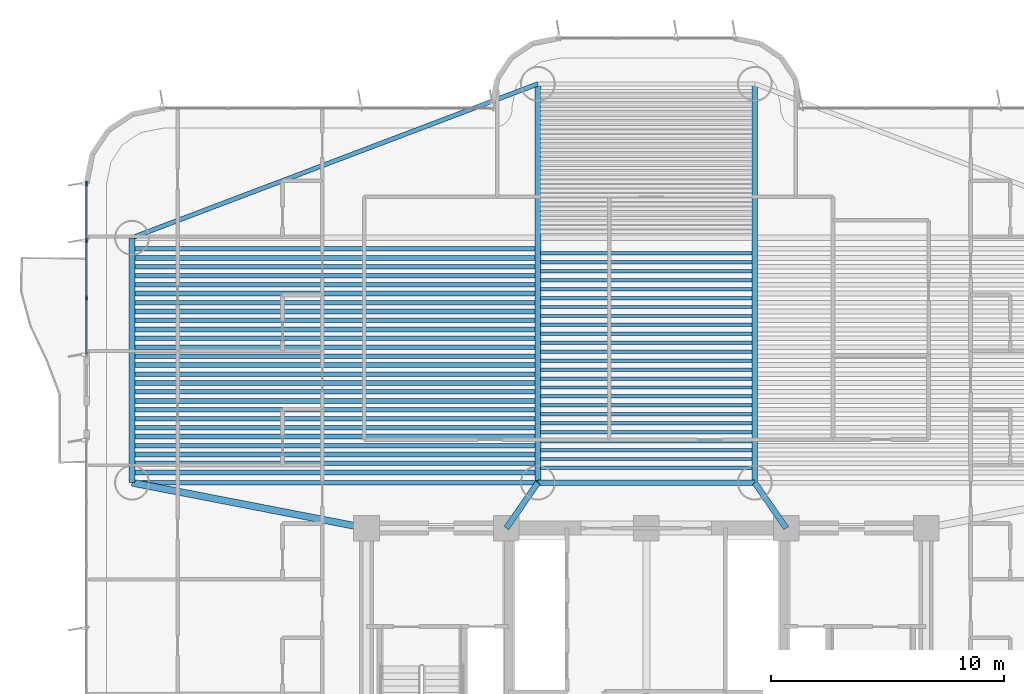
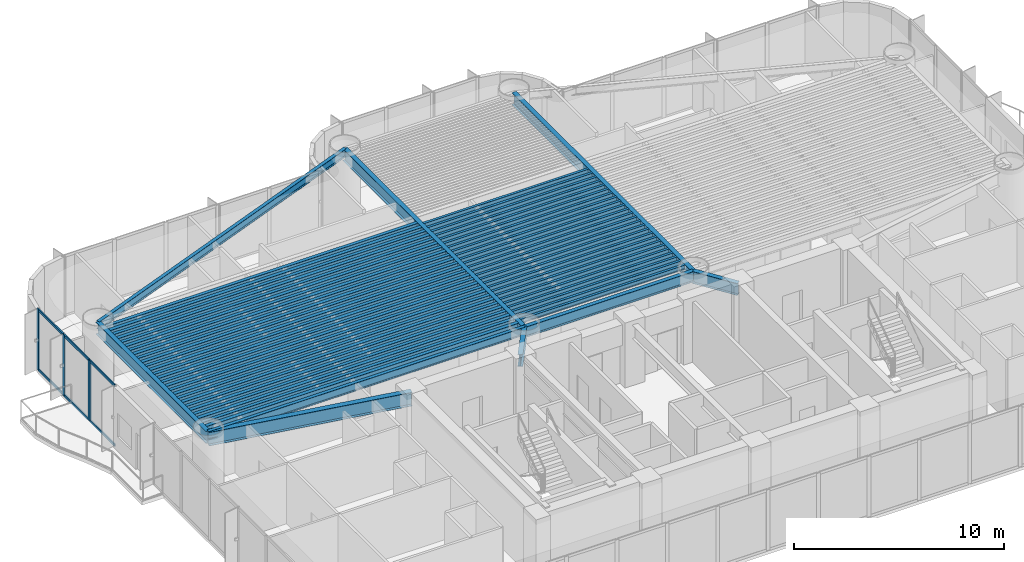
# One storey, part 3 of 19: 60 beams, 9 members, 1 element without a shape of its own.
"""IFC4 building model written with IfcOpenShell, lengths in metres."""

from ifc_helpers import new_model, si_unit, direction, frame, origin, origin_2d, place, context, subcontext, project, spatial, rectangle, i_section, extrude, source, transform, mapped, material, layer, layer_set, material_profile, profile_set, type_object, element, aggregate, save


model = new_model("IFC4")

# Units and contexts
model_context = context("Model", 3, precision=1e-05, world=origin(), true_north=direction((0.0, 1.0)))
body_context = subcontext(model_context, "Body", "Model", "MODEL_VIEW")
ifc_project = project(units=[si_unit("LENGTHUNIT", "METRE"), si_unit("AREAUNIT", "SQUARE_METRE"), si_unit("VOLUMEUNIT", "CUBIC_METRE"), si_unit("PLANEANGLEUNIT", "RADIAN"), si_unit("MASSUNIT", "GRAM", prefix="KILO")], contexts=[model_context])

# Site, building, storey
site_placement = place(None, origin())
site = spatial("IfcSite", under=ifc_project, at=site_placement, CompositionType="ELEMENT")
building_placement = place(site_placement, origin())
building = spatial("IfcBuilding", under=site, at=building_placement, Name="Brelvock Crest Care Tower", CompositionType="ELEMENT")
storey_placement = place(building_placement, frame((0.0, 0.0, 64.800048828125)))
storey = spatial("IfcBuildingStorey", under=building, at=storey_placement, Name="L16", CompositionType="ELEMENT", Elevation=64.800048828125)

# Beams
ifc_material_1 = material(Name="Steel Grade 350", Category="steel")
ifc_material_profile_1 = material_profile(ifc_material_1, i_section(OverallWidth=0.25, OverallDepth=0.699951171875, WebThickness=0.011962890625, FlangeThickness=0.02001953125, at=origin_2d()), Name="700WB150")
ifc_profile_set_1 = profile_set([ifc_material_profile_1], Name="Steel Grade 350")
beam_type_1 = type_object("IfcBeamType", Name="BM-G4", PredefinedType="BEAM", material=ifc_profile_set_1)
shared_shape_1 = source(origin(), body_context, "Body", "SweptSolid", [
    extrude(i_section(OverallWidth=0.25, OverallDepth=0.699951171875, WebThickness=0.011962890625, FlangeThickness=0.02001953125, at=origin_2d()), origin(), (0.0, 0.0, 1.0), 10.5),
])
beam_1_placement = place(storey_placement, frame((13.949951171875, 19.949951171875, 3.179931640625), z_axis=(0.0, 1.0, 0.0), x_axis=(-1.0, 0.0, 0.0)))
element("IfcBeam", 1, at=beam_1_placement, inside=storey, type_object=beam_type_1, Name="BM-TWR-L16-01", PredefinedType="BEAM", context=body_context, shape_type="MappedRepresentation", body=[
    mapped(shared_shape_1, transform((0.0, 0.0, 0.0), x_axis=(1.0, 0.0, 0.0), y_axis=(0.0, 1.0, 0.0), z_axis=(0.0, 0.0, 1.0), scale=1.0)),
])
ifc_material_profile_2 = material_profile(ifc_material_1, i_section(OverallWidth=0.19091796875, OverallDepth=0.4599609375, WebThickness=0.010009765625, FlangeThickness=0.01611328125, FilletRadius=0.011474609375, at=origin_2d()), Name="460UB82.1")
ifc_profile_set_2 = profile_set([ifc_material_profile_2], Name="Steel Grade 350")
beam_type_2 = type_object("IfcBeamType", Name="BM-SP2", PredefinedType="SPANDREL", material=ifc_profile_set_2)
shared_shape_2 = source(origin(), body_context, "Body", "SweptSolid", [
    extrude(i_section(OverallWidth=0.19091796875, OverallDepth=0.4599609375, WebThickness=0.010009765625, FlangeThickness=0.01611328125, FilletRadius=0.011474609375, at=origin_2d()), origin(), (0.0, 0.0, 1.0), 17.400146484375),
])
beam_2_placement = place(storey_placement, frame((13.949951171875, 19.949951171875, 3.300048828125), z_axis=(1.0, 0.0, 0.0), x_axis=(0.0, 1.0, 0.0)))
element("IfcBeam", 2, at=beam_2_placement, inside=storey, type_object=beam_type_2, Name="BM-TWR-L16-03", PredefinedType="SPANDREL", context=body_context, shape_type="MappedRepresentation", body=[
    mapped(shared_shape_2, transform((0.0, 0.0, 0.0), x_axis=(1.0, 0.0, 0.0), y_axis=(0.0, 1.0, 0.0), z_axis=(0.0, 0.0, 1.0), scale=1.0)),
])
ifc_material_profile_3 = material_profile(ifc_material_1, i_section(OverallWidth=0.22900390625, OverallDepth=0.612060546875, WebThickness=0.011962890625, FlangeThickness=0.01953125, FilletRadius=0.013916015625, at=origin_2d()), Name="610UB125")
ifc_profile_set_3 = profile_set([ifc_material_profile_3], Name="Steel Grade 350")
beam_type_3 = type_object("IfcBeamType", Name="BM-G1", PredefinedType="BEAM", material=ifc_profile_set_3)
shared_shape_3 = source(origin(), body_context, "Body", "SweptSolid", [
    extrude(i_section(OverallWidth=0.22900390625, OverallDepth=0.612060546875, WebThickness=0.011962890625, FlangeThickness=0.01953125, FilletRadius=0.013916015625, at=origin_2d()), origin(), (0.0, 0.0, 1.0), 9.2998046875),
])
beam_3_placement = place(storey_placement, frame((31.35009765625, 19.949951171875, 3.223876953125), z_axis=(1.0, 0.0, 0.0), x_axis=(0.0, 1.0, 0.0)))
element("IfcBeam", 3, at=beam_3_placement, inside=storey, type_object=beam_type_3, Name="BM-TWR-L16-05", PredefinedType="BEAM", context=body_context, shape_type="MappedRepresentation", body=[
    mapped(shared_shape_3, transform((0.0, 0.0, 0.0), x_axis=(1.0, 0.0, 0.0), y_axis=(0.0, 1.0, 0.0), z_axis=(0.0, 0.0, 1.0), scale=1.0)),
])
shared_shape_4 = source(origin(), body_context, "Body", "SweptSolid", [
    extrude(i_section(OverallWidth=0.19091796875, OverallDepth=0.4599609375, WebThickness=0.010009765625, FlangeThickness=0.01611328125, FilletRadius=0.011474609375, at=origin_2d()), origin(), (0.0, 0.0, 1.0), 18.60986328125),
])
beam_4_placement = place(storey_placement, frame((13.949951171875, 30.449951171875, 3.300048828125), z_axis=(0.934996776275, 0.3546562115, 0.0), x_axis=(-0.3546562115, 0.934996776275, 0.0)))
element("IfcBeam", 4, at=beam_4_placement, inside=storey, type_object=beam_type_2, Name="BM-TWR-L16-06", PredefinedType="SPANDREL", context=body_context, shape_type="MappedRepresentation", body=[
    mapped(shared_shape_4, transform((0.0, 0.0, 0.0), x_axis=(1.0, 0.0, 0.0), y_axis=(0.0, 1.0, 0.0), z_axis=(0.0, 0.0, 1.0), scale=1.0)),
])
shared_shape_5 = source(origin(), body_context, "Body", "SweptSolid", [
    extrude(i_section(OverallWidth=0.25, OverallDepth=0.699951171875, WebThickness=0.011962890625, FlangeThickness=0.02001953125, at=origin_2d()), origin(), (0.0, 0.0, 1.0), 17.10009765625),
])
for number, where, z_axis, x_axis, name in (
    (5, (31.35009765625, 19.949951171875, 3.179931640625), (0.0, 1.0, 0.0), (-1.0, 0.0, 0.0), "BM-TWR-L16-09"),
    (6, (40.64990234375, 19.949951171875, 3.179931640625), (0.0, 1.0, 0.0), (-1.0, 0.0, 0.0), "BM-TWR-L16-10"),
):
    element("IfcBeam", number, at=place(storey_placement, frame(where, z_axis=z_axis, x_axis=x_axis)), inside=storey, type_object=beam_type_1, Name=name, PredefinedType="BEAM", context=body_context, shape_type="MappedRepresentation", body=[
        mapped(shared_shape_5, transform((0.0, 0.0, 0.0), x_axis=(1.0, 0.0, 0.0), y_axis=(0.0, 1.0, 0.0), z_axis=(0.0, 0.0, 1.0), scale=1.0)),
    ])
shared_shape_6 = source(origin(), body_context, "Body", "SweptSolid", [
    extrude(i_section(OverallWidth=0.25, OverallDepth=0.699951171875, WebThickness=0.011962890625, FlangeThickness=0.02001953125, at=origin_2d()), origin(), (0.0, 0.0, 1.0), 2.371826171875),
])
for number, where, z_axis, x_axis, name in (
    (7, (30.0, 18.0, 3.179931640625), (0.569247447691, 0.8221662504, 0.0), (-0.8221662504, 0.569247447691, 0.0), "BM-THRW-L16"),
    (8, (42.0, 18.0, 3.179931640625), (-0.569247447691, 0.8221662504, 0.0), (-0.8221662504, -0.569247447691, 0.0), "BM-THRE-L16"),
):
    element("IfcBeam", number, at=place(storey_placement, frame(where, z_axis=z_axis, x_axis=x_axis)), inside=storey, type_object=beam_type_1, Name=name, PredefinedType="BEAM", context=body_context, shape_type="MappedRepresentation", body=[
        mapped(shared_shape_6, transform((0.0, 0.0, 0.0), x_axis=(1.0, 0.0, 0.0), y_axis=(0.0, 1.0, 0.0), z_axis=(0.0, 0.0, 1.0), scale=1.0)),
    ])
ifc_material_profile_4 = material_profile(ifc_material_1, i_section(OverallWidth=0.300048828125, OverallDepth=0.800048828125, WebThickness=0.013916015625, FlangeThickness=0.02197265625, at=origin_2d()), Name="800WB192")
ifc_profile_set_4 = profile_set([ifc_material_profile_4], Name="Steel Grade 350")
beam_type_4 = type_object("IfcBeamType", Name="BM-G5", PredefinedType="BEAM", material=ifc_profile_set_4)
shared_shape_7 = source(origin(), body_context, "Body", "SweptSolid", [
    extrude(i_section(OverallWidth=0.300048828125, OverallDepth=0.800048828125, WebThickness=0.013916015625, FlangeThickness=0.02197265625, at=origin_2d()), origin(), (0.0, 0.0, 1.0), 10.237548828125),
])
beam_5_placement = place(storey_placement, frame((24.0, 18.0, 3.1298828125), z_axis=(-0.981692632568, 0.190471979991, 0.0), x_axis=(-0.190471979991, -0.981692632568, 0.0)))
element("IfcBeam", 9, at=beam_5_placement, inside=storey, type_object=beam_type_4, Name="BM-THRO-W-L16", PredefinedType="BEAM", context=body_context, shape_type="MappedRepresentation", body=[
    mapped(shared_shape_7, transform((0.0, 0.0, 0.0), x_axis=(1.0, 0.0, 0.0), y_axis=(0.0, 1.0, 0.0), z_axis=(0.0, 0.0, 1.0), scale=1.0)),
])
ifc_material_profile_5 = material_profile(ifc_material_1, i_section(OverallWidth=0.208984375, OverallDepth=0.532958984375, WebThickness=0.01025390625, FlangeThickness=0.015625, FilletRadius=0.013916015625, at=origin_2d()), Name="530UB92.4")
ifc_profile_set_5 = profile_set([ifc_material_profile_5], Name="Steel Grade 350")
beam_type_5 = type_object("IfcBeamType", Name="BM-G2", PredefinedType="BEAM", material=ifc_profile_set_5)
shared_shape_8 = source(origin(), body_context, "Body", "SweptSolid", [
    extrude(i_section(OverallWidth=0.208984375, OverallDepth=0.532958984375, WebThickness=0.01025390625, FlangeThickness=0.015625, FilletRadius=0.013916015625, at=origin_2d()), origin(), (0.0, 0.0, 1.0), 17.170166015625),
])
for number, where, z_axis, x_axis, name in (
    (10, (14.06494140625, 20.39111328125, 3.263427734375), (1.0, 0.0, 0.0), (0.0, 1.0, 0.0), "BM-JW-L16-1"),
    (11, (14.06494140625, 21.157470703125, 3.263427734375), (1.0, 0.0, 0.0), (0.0, 1.0, 0.0), "BM-JW-L16-3"),
    (12, (14.06494140625, 21.924072265625, 3.263427734375), (1.0, 0.0, 0.0), (0.0, 1.0, 0.0), "BM-JW-L16-5"),
    (13, (14.06494140625, 22.6904296875, 3.263427734375), (1.0, 0.0, 0.0), (0.0, 1.0, 0.0), "BM-JW-L16-7"),
    (14, (14.06494140625, 23.45703125, 3.263427734375), (1.0, 0.0, 0.0), (0.0, 1.0, 0.0), "BM-JW-L16-9"),
    (15, (14.06494140625, 24.223388671875, 3.263427734375), (1.0, 0.0, 0.0), (0.0, 1.0, 0.0), "BM-JW-L16-11"),
    (16, (14.06494140625, 24.989990234375, 3.263427734375), (1.0, 0.0, 0.0), (0.0, 1.0, 0.0), "BM-JW-L16-13"),
    (17, (14.06494140625, 25.756591796875, 3.263427734375), (1.0, 0.0, 0.0), (0.0, 1.0, 0.0), "BM-JW-L16-15"),
    (18, (14.06494140625, 26.52294921875, 3.263427734375), (1.0, 0.0, 0.0), (0.0, 1.0, 0.0), "BM-JW-L16-17"),
    (19, (14.06494140625, 27.28955078125, 3.263427734375), (1.0, 0.0, 0.0), (0.0, 1.0, 0.0), "BM-JW-L16-19"),
    (20, (14.06494140625, 28.055908203125, 3.263427734375), (1.0, 0.0, 0.0), (0.0, 1.0, 0.0), "BM-JW-L16-21"),
    (21, (14.06494140625, 28.822509765625, 3.263427734375), (1.0, 0.0, 0.0), (0.0, 1.0, 0.0), "BM-JW-L16-23"),
    (22, (14.06494140625, 29.589111328125, 3.263427734375), (1.0, 0.0, 0.0), (0.0, 1.0, 0.0), "BM-JW-L16-25"),
):
    element("IfcBeam", number, at=place(storey_placement, frame(where, z_axis=z_axis, x_axis=x_axis)), inside=storey, type_object=beam_type_5, Name=name, PredefinedType="BEAM", context=body_context, shape_type="MappedRepresentation", body=[
        mapped(shared_shape_8, transform((0.0, 0.0, 0.0), x_axis=(1.0, 0.0, 0.0), y_axis=(0.0, 1.0, 0.0), z_axis=(0.0, 0.0, 1.0), scale=1.0)),
    ])
ifc_material_profile_6 = material_profile(ifc_material_1, i_section(OverallWidth=0.14599609375, OverallDepth=0.256103515625, WebThickness=0.00634765625, FlangeThickness=0.010986328125, FilletRadius=0.0087890625, at=origin_2d()), Name="250UB37.3")
ifc_profile_set_6 = profile_set([ifc_material_profile_6], Name="Steel Grade 350")
beam_type_6 = type_object("IfcBeamType", Name="BM-J3", PredefinedType="JOIST", material=ifc_profile_set_6)
shared_shape_9 = source(origin(), body_context, "Body", "SweptSolid", [
    extrude(i_section(OverallWidth=0.14599609375, OverallDepth=0.256103515625, WebThickness=0.00634765625, FlangeThickness=0.010986328125, FilletRadius=0.0087890625, at=origin_2d()), origin(), (0.0, 0.0, 1.0), 9.06982421875),
])
for number, where, z_axis, x_axis, name in (
    (23, (31.465087890625, 20.58251953125, 3.40185546875), (1.0, 0.0, 0.0), (0.0, 1.0, 0.0), "BM-JH-L16-1"),
    (24, (31.465087890625, 20.9658203125, 3.40185546875), (1.0, 0.0, 0.0), (0.0, 1.0, 0.0), "BM-JH-L16-2"),
    (25, (31.465087890625, 21.34912109375, 3.40185546875), (1.0, 0.0, 0.0), (0.0, 1.0, 0.0), "BM-JH-L16-3"),
    (26, (31.465087890625, 21.732421875, 3.40185546875), (1.0, 0.0, 0.0), (0.0, 1.0, 0.0), "BM-JH-L16-4"),
    (27, (31.465087890625, 22.115478515625, 3.40185546875), (1.0, 0.0, 0.0), (0.0, 1.0, 0.0), "BM-JH-L16-5"),
    (28, (31.465087890625, 22.498779296875, 3.40185546875), (1.0, 0.0, 0.0), (0.0, 1.0, 0.0), "BM-JH-L16-6"),
    (29, (31.465087890625, 22.882080078125, 3.40185546875), (1.0, 0.0, 0.0), (0.0, 1.0, 0.0), "BM-JH-L16-7"),
    (30, (31.465087890625, 23.265380859375, 3.40185546875), (1.0, 0.0, 0.0), (0.0, 1.0, 0.0), "BM-JH-L16-8"),
    (31, (31.465087890625, 23.648681640625, 3.40185546875), (1.0, 0.0, 0.0), (0.0, 1.0, 0.0), "BM-JH-L16-9"),
    (32, (31.465087890625, 24.03173828125, 3.40185546875), (1.0, 0.0, 0.0), (0.0, 1.0, 0.0), "BM-JH-L16-10"),
    (33, (31.465087890625, 24.4150390625, 3.40185546875), (1.0, 0.0, 0.0), (0.0, 1.0, 0.0), "BM-JH-L16-11"),
    (34, (31.465087890625, 24.79833984375, 3.40185546875), (1.0, 0.0, 0.0), (0.0, 1.0, 0.0), "BM-JH-L16-12"),
    (35, (31.465087890625, 25.181640625, 3.40185546875), (1.0, 0.0, 0.0), (0.0, 1.0, 0.0), "BM-JH-L16-13"),
    (36, (31.465087890625, 25.564697265625, 3.40185546875), (1.0, 0.0, 0.0), (0.0, 1.0, 0.0), "BM-JH-L16-14"),
    (37, (31.465087890625, 25.947998046875, 3.40185546875), (1.0, 0.0, 0.0), (0.0, 1.0, 0.0), "BM-JH-L16-15"),
    (38, (31.465087890625, 26.331298828125, 3.40185546875), (1.0, 0.0, 0.0), (0.0, 1.0, 0.0), "BM-JH-L16-16"),
    (39, (31.465087890625, 26.714599609375, 3.40185546875), (1.0, 0.0, 0.0), (0.0, 1.0, 0.0), "BM-JH-L16-17"),
    (40, (31.465087890625, 27.097900390625, 3.40185546875), (1.0, 0.0, 0.0), (0.0, 1.0, 0.0), "BM-JH-L16-18"),
    (41, (31.465087890625, 27.481201171875, 3.40185546875), (1.0, 0.0, 0.0), (0.0, 1.0, 0.0), "BM-JH-L16-19"),
    (42, (31.465087890625, 27.864501953125, 3.40185546875), (1.0, 0.0, 0.0), (0.0, 1.0, 0.0), "BM-JH-L16-20"),
    (43, (31.465087890625, 28.24755859375, 3.40185546875), (1.0, 0.0, 0.0), (0.0, 1.0, 0.0), "BM-JH-L16-21"),
    (44, (31.465087890625, 28.630859375, 3.40185546875), (1.0, 0.0, 0.0), (0.0, 1.0, 0.0), "BM-JH-L16-22"),
    (45, (31.465087890625, 29.01416015625, 3.40185546875), (1.0, 0.0, 0.0), (0.0, 1.0, 0.0), "BM-JH-L16-23"),
    (46, (31.465087890625, 29.397216796875, 3.40185546875), (1.0, 0.0, 0.0), (0.0, 1.0, 0.0), "BM-JH-L16-24"),
    (47, (31.465087890625, 29.780517578125, 3.40185546875), (1.0, 0.0, 0.0), (0.0, 1.0, 0.0), "BM-JH-L16-25"),
):
    element("IfcBeam", number, at=place(storey_placement, frame(where, z_axis=z_axis, x_axis=x_axis)), inside=storey, type_object=beam_type_6, Name=name, PredefinedType="JOIST", context=body_context, shape_type="MappedRepresentation", body=[
        mapped(shared_shape_9, transform((0.0, 0.0, 0.0), x_axis=(1.0, 0.0, 0.0), y_axis=(0.0, 1.0, 0.0), z_axis=(0.0, 0.0, 1.0), scale=1.0)),
    ])
ifc_material_profile_7 = material_profile(ifc_material_1, i_section(OverallWidth=0.19091796875, OverallDepth=0.4599609375, WebThickness=0.010009765625, FlangeThickness=0.01611328125, FilletRadius=0.011474609375, at=origin_2d()), Name="460UB82.1")
ifc_profile_set_7 = profile_set([ifc_material_profile_7], Name="Steel Grade 350")
beam_type_7 = type_object("IfcBeamType", Name="BM-G3", PredefinedType="BEAM", material=ifc_profile_set_7)
shared_shape_10 = source(origin(), body_context, "Body", "SweptSolid", [
    extrude(i_section(OverallWidth=0.19091796875, OverallDepth=0.4599609375, WebThickness=0.010009765625, FlangeThickness=0.01611328125, FilletRadius=0.011474609375, at=origin_2d()), origin(), (0.0, 0.0, 1.0), 17.170166015625),
])
for number, where, z_axis, x_axis, name in (
    (48, (14.06494140625, 20.774169921875, 3.300048828125), (1.0, 0.0, 0.0), (0.0, 1.0, 0.0), "BM-JW-L16-2"),
    (49, (14.06494140625, 21.540771484375, 3.300048828125), (1.0, 0.0, 0.0), (0.0, 1.0, 0.0), "BM-JW-L16-4"),
    (50, (14.06494140625, 22.30712890625, 3.300048828125), (1.0, 0.0, 0.0), (0.0, 1.0, 0.0), "BM-JW-L16-6"),
    (51, (14.06494140625, 23.07373046875, 3.300048828125), (1.0, 0.0, 0.0), (0.0, 1.0, 0.0), "BM-JW-L16-8"),
    (52, (14.06494140625, 23.840087890625, 3.300048828125), (1.0, 0.0, 0.0), (0.0, 1.0, 0.0), "BM-JW-L16-10"),
    (53, (14.06494140625, 24.606689453125, 3.300048828125), (1.0, 0.0, 0.0), (0.0, 1.0, 0.0), "BM-JW-L16-12"),
    (54, (14.06494140625, 25.373291015625, 3.300048828125), (1.0, 0.0, 0.0), (0.0, 1.0, 0.0), "BM-JW-L16-14"),
    (55, (14.06494140625, 26.1396484375, 3.300048828125), (1.0, 0.0, 0.0), (0.0, 1.0, 0.0), "BM-JW-L16-16"),
    (56, (14.06494140625, 26.90625, 3.300048828125), (1.0, 0.0, 0.0), (0.0, 1.0, 0.0), "BM-JW-L16-18"),
    (57, (14.06494140625, 27.6728515625, 3.300048828125), (1.0, 0.0, 0.0), (0.0, 1.0, 0.0), "BM-JW-L16-20"),
    (58, (14.06494140625, 28.439208984375, 3.300048828125), (1.0, 0.0, 0.0), (0.0, 1.0, 0.0), "BM-JW-L16-22"),
    (59, (14.06494140625, 29.205810546875, 3.300048828125), (1.0, 0.0, 0.0), (0.0, 1.0, 0.0), "BM-JW-L16-24"),
    (60, (14.06494140625, 29.97216796875, 3.300048828125), (1.0, 0.0, 0.0), (0.0, 1.0, 0.0), "BM-JW-L16-26"),
):
    element("IfcBeam", number, at=place(storey_placement, frame(where, z_axis=z_axis, x_axis=x_axis)), inside=storey, type_object=beam_type_7, Name=name, PredefinedType="BEAM", context=body_context, shape_type="MappedRepresentation", body=[
        mapped(shared_shape_10, transform((0.0, 0.0, 0.0), x_axis=(1.0, 0.0, 0.0), y_axis=(0.0, 1.0, 0.0), z_axis=(0.0, 0.0, 1.0), scale=1.0)),
    ])

# Curtain wall, members
ifc_material_2 = material(Name="Dark Glass Double Glazed Low-E", Category="glass")
ifc_layer = layer(ifc_material_2, 0.195068359375, Name="CWS-2")
ifc_layer_set = layer_set([ifc_layer], Name="Dark Glass Double Glazed Low-E")
curtain_wall_type = type_object("IfcCurtainWallType", Name="CWS-2", PredefinedType="NOTDEFINED", material=ifc_layer_set)
curtain_wall_placement = place(storey_placement, origin())
curtain_wall = element("IfcCurtainWall", 61, at=curtain_wall_placement, inside=storey, type_object=curtain_wall_type, Name="L16 Curtain Wall E13B", PredefinedType="NOTDEFINED")
ifc_material_3 = material(Name="Aluminium 6063-T6", Category="aluminium")
ifc_material_profile_8 = material_profile(ifc_material_3, rectangle(XDim=0.06494140625, YDim=0.199951171875, at=origin_2d()), Name="ALU65x200")
ifc_profile_set_8 = profile_set([ifc_material_profile_8], Name="Aluminium 6063-T6")
member_type_1 = type_object("IfcMemberType", Name="CWM-1", PredefinedType="MULLION", material=ifc_profile_set_8)
shared_shape_11 = source(origin(), body_context, "Body", "SweptSolid", [
    extrude(rectangle(XDim=0.06494140625, YDim=0.199951171875, at=origin_2d()), origin(), (0.0, 0.0, 1.0), 3.530029296875),
])
member_1_placement = place(storey_placement, frame((12.0, 27.86669921875, 0.0), z_axis=(0.0, 0.0, 1.0), x_axis=(-1.0, 0.0, 0.0)))
member_1 = element("IfcMember", 62, at=member_1_placement, type_object=member_type_1, Name="CW-2 mullion 2", PredefinedType="MULLION", context=body_context, shape_type="MappedRepresentation", body=[
    mapped(shared_shape_11, transform((0.0, 0.0, 0.0), x_axis=(1.0, 0.0, 0.0), y_axis=(0.0, 1.0, 0.0), z_axis=(0.0, 0.0, 1.0), scale=1.0)),
])
member_2_placement = place(storey_placement, frame((12.0, 30.333251953125, 0.0), z_axis=(0.0, 0.0, 1.0), x_axis=(-1.0, 0.0, 0.0)))
member_2 = element("IfcMember", 63, at=member_2_placement, type_object=member_type_1, Name="CW-2 mullion 3", PredefinedType="MULLION", context=body_context, shape_type="MappedRepresentation", body=[
    mapped(shared_shape_11, transform((0.0, 0.0, 0.0), x_axis=(1.0, 0.0, 0.0), y_axis=(0.0, 1.0, 0.0), z_axis=(0.0, 0.0, 1.0), scale=1.0)),
])
member_3_placement = place(storey_placement, frame((12.0, 32.767578125, 0.0), z_axis=(0.0, 0.0, 1.0), x_axis=(-1.0, 0.0, 0.0)))
member_3 = element("IfcMember", 64, at=member_3_placement, type_object=member_type_1, Name="CW-2 mullion 4", PredefinedType="MULLION", context=body_context, shape_type="MappedRepresentation", body=[
    mapped(shared_shape_11, transform((0.0, 0.0, 0.0), x_axis=(1.0, 0.0, 0.0), y_axis=(0.0, 1.0, 0.0), z_axis=(0.0, 0.0, 1.0), scale=1.0)),
])
ifc_material_profile_9 = material_profile(ifc_material_3, rectangle(XDim=0.06494140625, YDim=0.14990234375, at=origin_2d()), Name="ALU65x150")
ifc_profile_set_9 = profile_set([ifc_material_profile_9], Name="Aluminium 6063-T6")
member_type_2 = type_object("IfcMemberType", Name="CWT-1", PredefinedType="USERDEFINED", material=ifc_profile_set_9)
shared_shape_12 = source(origin(), body_context, "Body", "SweptSolid", [
    extrude(rectangle(XDim=0.06494140625, YDim=0.14990234375, at=origin_2d()), origin(), (0.0, 0.0, 1.0), 2.369384765625),
])
member_4_placement = place(storey_placement, frame((12.0, 30.36572265625, 0.032470703125), z_axis=(0.0, 1.0, 0.0), x_axis=(-1.0, 0.0, 0.0)))
member_4 = element("IfcMember", 65, at=member_4_placement, type_object=member_type_2, Name="CW-2 transom 3.1", ObjectType="TRANSOM", PredefinedType="USERDEFINED", context=body_context, shape_type="MappedRepresentation", body=[
    mapped(shared_shape_12, transform((0.0, 0.0, 0.0), x_axis=(1.0, 0.0, 0.0), y_axis=(0.0, 1.0, 0.0), z_axis=(0.0, 0.0, 1.0), scale=1.0)),
])
member_5_placement = place(storey_placement, frame((12.0, 30.36572265625, 3.49755859375), z_axis=(0.0, 1.0, 0.0), x_axis=(-1.0, 0.0, 0.0)))
member_5 = element("IfcMember", 66, at=member_5_placement, type_object=member_type_2, Name="CW-2 transom 3.2", ObjectType="TRANSOM", PredefinedType="USERDEFINED", context=body_context, shape_type="MappedRepresentation", body=[
    mapped(shared_shape_12, transform((0.0, 0.0, 0.0), x_axis=(1.0, 0.0, 0.0), y_axis=(0.0, 1.0, 0.0), z_axis=(0.0, 0.0, 1.0), scale=1.0)),
])
shared_shape_13 = source(origin(), body_context, "Body", "SweptSolid", [
    extrude(rectangle(XDim=0.06494140625, YDim=0.14990234375, at=origin_2d()), origin(), (0.0, 0.0, 1.0), 2.401611328125),
])
member_6_placement = place(storey_placement, frame((12.0, 27.899169921875, 0.032470703125), z_axis=(0.0, 1.0, 0.0), x_axis=(-1.0, 0.0, 0.0)))
member_6 = element("IfcMember", 67, at=member_6_placement, type_object=member_type_2, Name="CW-2 transom 2.1", ObjectType="TRANSOM", PredefinedType="USERDEFINED", context=body_context, shape_type="MappedRepresentation", body=[
    mapped(shared_shape_13, transform((0.0, 0.0, 0.0), x_axis=(1.0, 0.0, 0.0), y_axis=(0.0, 1.0, 0.0), z_axis=(0.0, 0.0, 1.0), scale=1.0)),
])
member_7_placement = place(storey_placement, frame((12.0, 27.899169921875, 3.49755859375), z_axis=(0.0, 1.0, 0.0), x_axis=(-1.0, 0.0, 0.0)))
member_7 = element("IfcMember", 68, at=member_7_placement, type_object=member_type_2, Name="CW-2 transom 2.2", ObjectType="TRANSOM", PredefinedType="USERDEFINED", context=body_context, shape_type="MappedRepresentation", body=[
    mapped(shared_shape_13, transform((0.0, 0.0, 0.0), x_axis=(1.0, 0.0, 0.0), y_axis=(0.0, 1.0, 0.0), z_axis=(0.0, 0.0, 1.0), scale=1.0)),
])
shared_shape_14 = source(origin(), body_context, "Body", "SweptSolid", [
    extrude(rectangle(XDim=0.06494140625, YDim=0.14990234375, at=origin_2d()), origin(), (0.0, 0.0, 1.0), 2.369140625),
])
member_8_placement = place(storey_placement, frame((12.0, 25.465087890625, 0.032470703125), z_axis=(0.0, 1.0, 0.0), x_axis=(-1.0, 0.0, 0.0)))
member_8 = element("IfcMember", 69, at=member_8_placement, type_object=member_type_2, Name="CW-2 transom 1.1", ObjectType="TRANSOM", PredefinedType="USERDEFINED", context=body_context, shape_type="MappedRepresentation", body=[
    mapped(shared_shape_14, transform((0.0, 0.0, 0.0), x_axis=(1.0, 0.0, 0.0), y_axis=(0.0, 1.0, 0.0), z_axis=(0.0, 0.0, 1.0), scale=1.0)),
])
member_9_placement = place(storey_placement, frame((12.0, 25.465087890625, 3.49755859375), z_axis=(0.0, 1.0, 0.0), x_axis=(-1.0, 0.0, 0.0)))
member_9 = element("IfcMember", 70, at=member_9_placement, type_object=member_type_2, Name="CW-2 transom 1.2", ObjectType="TRANSOM", PredefinedType="USERDEFINED", context=body_context, shape_type="MappedRepresentation", body=[
    mapped(shared_shape_14, transform((0.0, 0.0, 0.0), x_axis=(1.0, 0.0, 0.0), y_axis=(0.0, 1.0, 0.0), z_axis=(0.0, 0.0, 1.0), scale=1.0)),
])
aggregate(curtain_wall, [member_1, member_2, member_3, member_8, member_9, member_6, member_7, member_4, member_5])

save(model, "model.ifc")
